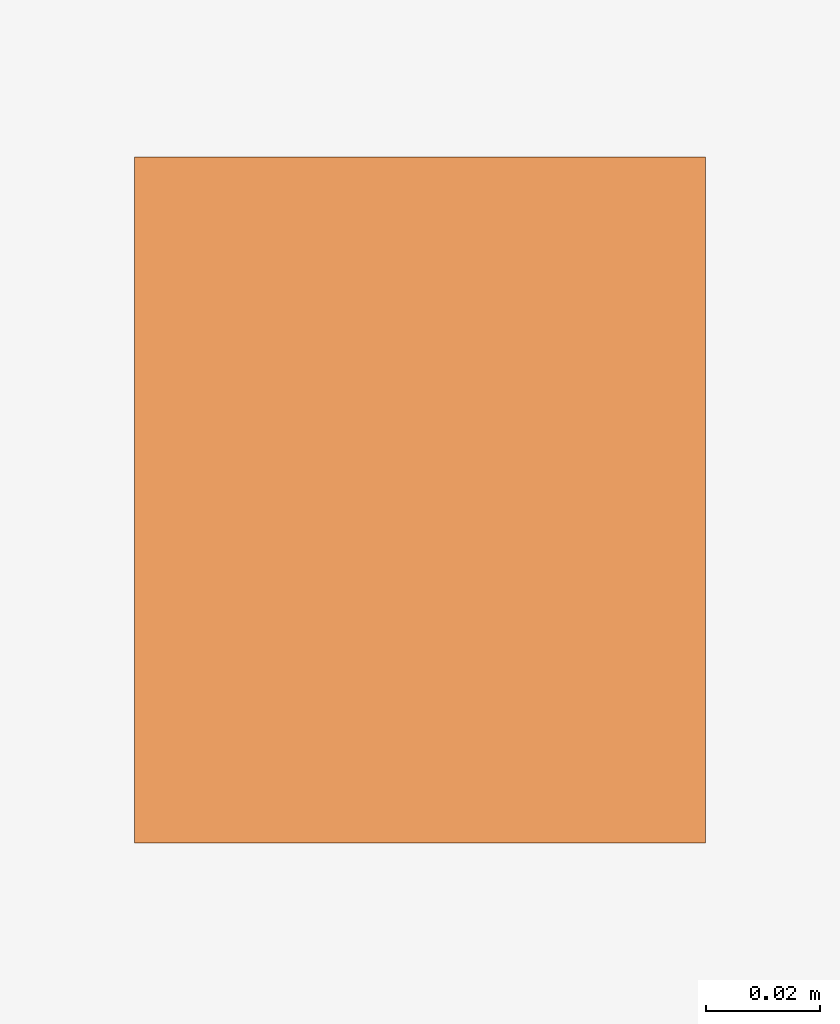
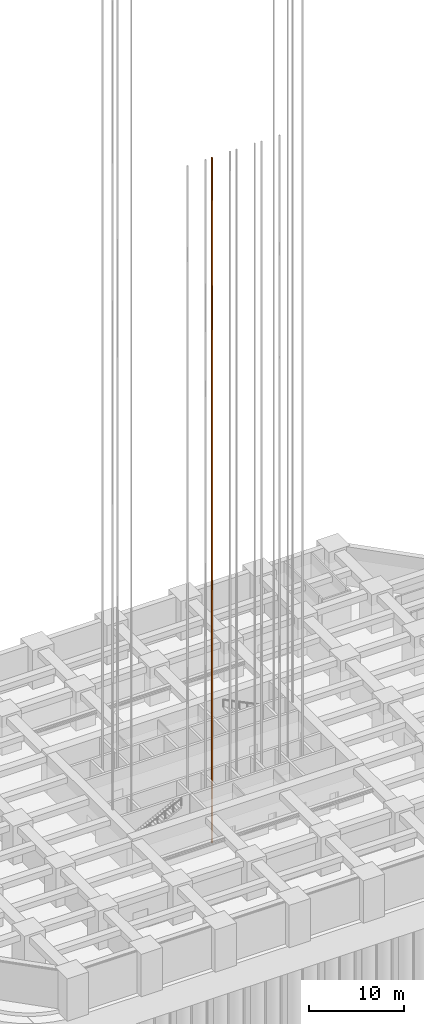
# One storey, part 14 of 24: 1 proxy.
"""IFC4 building model written with IfcOpenShell, lengths in metres."""

from ifc_helpers import new_model, si_unit, direction, frame, origin, origin_2d, place, context, subcontext, project, spatial, rectangle, extrude, element, save


model = new_model("IFC4")

# Units and contexts
model_context = context("Model", 3, precision=1e-05, world=origin(), true_north=direction((0.0, 1.0)))
body_context = subcontext(model_context, "Body", "Model", "MODEL_VIEW")
ifc_project = project(units=[si_unit("LENGTHUNIT", "METRE"), si_unit("AREAUNIT", "SQUARE_METRE"), si_unit("VOLUMEUNIT", "CUBIC_METRE"), si_unit("PLANEANGLEUNIT", "RADIAN"), si_unit("MASSUNIT", "GRAM", prefix="KILO")], contexts=[model_context])

# Site, building, storey
site_placement = place(None, origin())
site = spatial("IfcSite", under=ifc_project, at=site_placement, CompositionType="ELEMENT")
building_placement = place(site_placement, origin())
building = spatial("IfcBuilding", under=site, at=building_placement, Name="Zorevar Civic Tower", CompositionType="ELEMENT")
storey_placement = place(building_placement, frame((0.0, 0.0, -5.0)))
storey = spatial("IfcBuildingStorey", under=building, at=storey_placement, Name="B1", CompositionType="ELEMENT", Elevation=-5.0)

# Proxy
proxy_placement = place(storey_placement, frame((30.39990234375, 23.10009765625, -3.35009765625), z_axis=(0.0, 0.0, 1.0), x_axis=(1.0, 0.0, 0.0)))
element("IfcBuildingElementProxy", 1, at=proxy_placement, inside=storey, Name="Passenger lift LP2 guide rail 1", PredefinedType="NOTDEFINED", context=body_context, shape_type="SweptSolid", body=[
    extrude(rectangle(XDim=0.10009765625, YDim=0.1201171875, at=origin_2d()), origin(), (0.0, 0.0, 1.0), 88.0),
])

save(model, "model.ifc")
